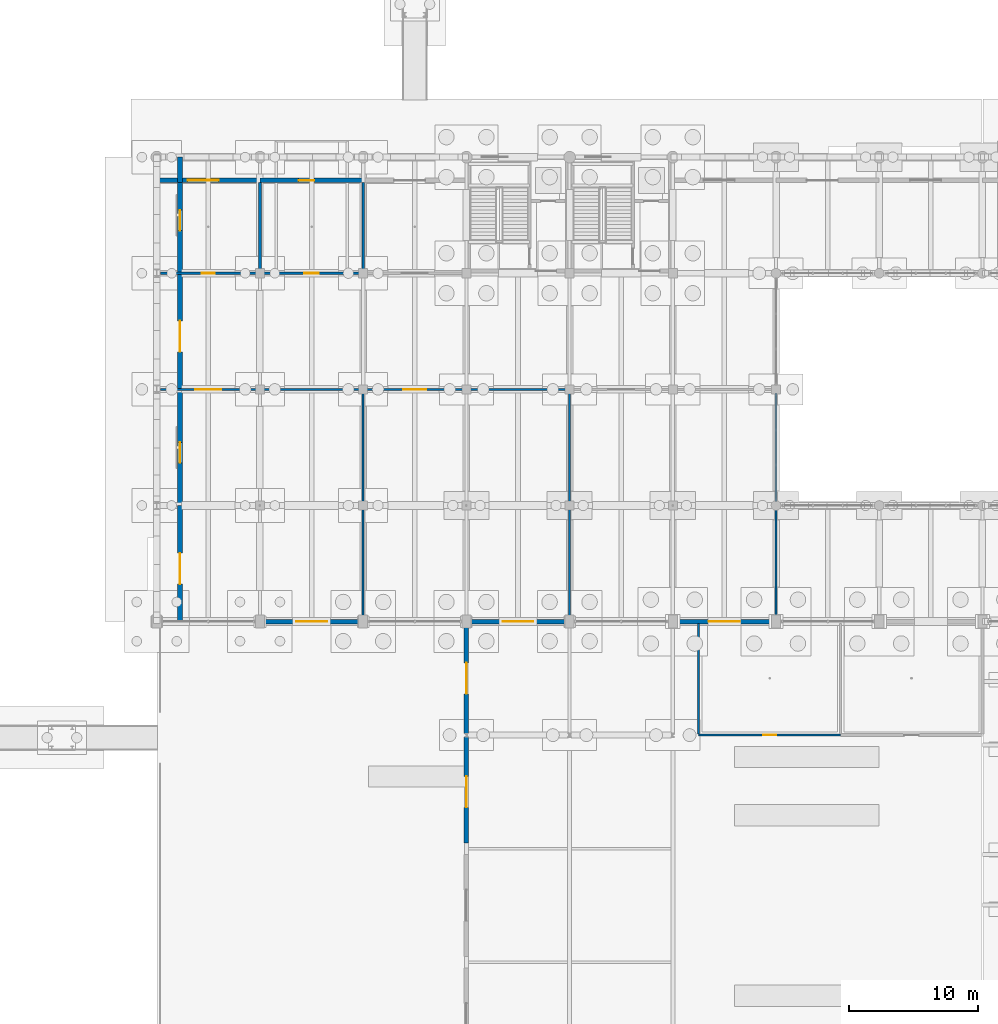
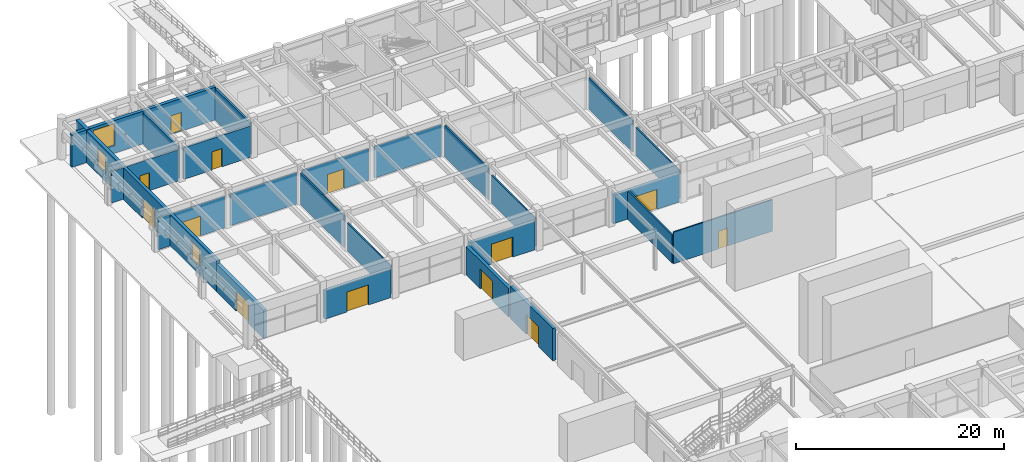
# One storey, part 105 of 147: 28 walls, 13 doors, 3 windows, 16 openings.
"""IFC4 building model written with IfcOpenShell, lengths in metres."""

import ifcopenshell
import ifcopenshell.guid

model = None  # the IFC model being written
_history = None  # IfcOwnerHistory: only IFC2X3 demands one
_inside = {}  # id of a spatial element -> (the spatial element, [elements in it])
_under = {}  # id of a project, library or spatial element -> (it, [spatial elements below it])
_declared = {}  # id of a project -> (the project, [libraries it declares])
_typed = {}  # id of a type object -> (the type object, [elements of that type])
_made_of = {}  # id of a material, layer set ... -> (it, [elements and type objects made of it])


def new_model(schema):
    """Start an empty IFC model of exactly this schema.

    Asked for "IFC4X3", IfcOpenShell would pick the latest addendum, in which some entities
    have other attributes; the version numbers below select the first issue.
    IFC2X3 requires an IfcOwnerHistory on every rooted entity: one is made here for all.
    """
    global model, _history
    if schema == "IFC4X3":
        model = ifcopenshell.file(schema_version=(4, 3, 0, 0))
    else:
        model = ifcopenshell.file(schema=schema)
    _inside.clear()
    _under.clear()
    _declared.clear()
    _typed.clear()
    _made_of.clear()
    _history = None
    if model.schema == "IFC2X3":
        org = make("IfcOrganization", Name="unknown")
        user = make(
            "IfcPersonAndOrganization",
            ThePerson=make("IfcPerson", FamilyName="unknown"),
            TheOrganization=org,
        )
        app = make(
            "IfcApplication",
            ApplicationDeveloper=org,
            Version="unknown",
            ApplicationFullName="unknown",
            ApplicationIdentifier="unknown",
        )
        _history = make(
            "IfcOwnerHistory",
            OwningUser=user,
            OwningApplication=app,
            ChangeAction="ADDED",
            CreationDate=0,
        )
    return model


def make(cls, **values):
    """One entity of the class cls with the attributes given. An attribute that is None is left unset."""
    return model.create_entity(
        cls, **{name: value for name, value in values.items() if value is not None}
    )


def rooted(cls, **values):
    """An entity with a GlobalId (a new one), such as an element, a storey or a relation."""
    return make(cls, GlobalId=ifcopenshell.guid.new(), OwnerHistory=_history, **values)


def si_unit(unit_type, name, prefix=None):
    """IfcSIUnit, for example si_unit("LENGTHUNIT", "METRE", prefix="MILLI")."""
    return make("IfcSIUnit", UnitType=unit_type, Prefix=prefix, Name=name)


def assignment(units):
    """IfcUnitAssignment: the units of a project."""
    return None if units is None else make("IfcUnitAssignment", Units=units)


def point(xyz):
    """IfcCartesianPoint."""
    return None if xyz is None else make("IfcCartesianPoint", Coordinates=xyz)


def direction(xyz):
    """IfcDirection."""
    return None if xyz is None else make("IfcDirection", DirectionRatios=xyz)


def frame(location, z_axis=None, x_axis=None):
    """IfcAxis2Placement3D, a coordinate frame: its origin and axes. An axis left out is left unset."""
    return make(
        "IfcAxis2Placement3D",
        Location=point(location),
        Axis=direction(z_axis),
        RefDirection=direction(x_axis),
    )


def frame_2d(location, x_axis=None):
    """IfcAxis2Placement2D, a coordinate frame in the plane: its origin and x axis."""
    return make(
        "IfcAxis2Placement2D", Location=point(location), RefDirection=direction(x_axis)
    )


def origin():
    """The frame at (0, 0, 0) with its axes left unset."""
    return frame((0.0, 0.0, 0.0))


def place(relative_to, where):
    """IfcLocalPlacement: puts the frame where relative to a parent placement (None: the world)."""
    return make(
        "IfcLocalPlacement", PlacementRelTo=relative_to, RelativePlacement=where
    )


def context(
    kind, dimensions, precision=None, world=None, true_north=None, identifier=None
):
    """IfcGeometricRepresentationContext, for example the 3D "Model" context."""
    return make(
        "IfcGeometricRepresentationContext",
        ContextIdentifier=identifier,
        ContextType=kind,
        CoordinateSpaceDimension=dimensions,
        Precision=precision,
        WorldCoordinateSystem=world,
        TrueNorth=true_north,
    )


def subcontext(parent, identifier, kind, view, scale=None):
    """IfcGeometricRepresentationSubContext, for example "Body" below "Model"."""
    return make(
        "IfcGeometricRepresentationSubContext",
        ContextIdentifier=identifier,
        ContextType=kind,
        ParentContext=parent,
        TargetScale=scale,
        TargetView=view,
    )


def project(units=None, contexts=None):
    """IfcProject with its units and contexts."""
    return rooted(
        "IfcProject",
        Name="project",
        RepresentationContexts=contexts,
        UnitsInContext=assignment(units),
    )


def spatial(cls, under=None, at=None, **own):
    """A site, building, storey or space (cls), placed at a placement, below another one or the project."""
    s = rooted(cls, ObjectPlacement=at, **own)
    if under is not None:
        _under.setdefault(under.id(), (under, []))[1].append(s)
    return s


def profile(cls, at=None, kind="AREA", **sizes):
    """A parametric profile (cls). Its sizes go by their IFC names, for example OverallWidth=200.0."""
    return make(cls, ProfileType=kind, Position=at, **sizes)


def rectangle(**sizes):
    """IfcRectangleProfileDef."""
    return profile("IfcRectangleProfileDef", **sizes)


def extrude(swept, where, along, depth):
    """IfcExtrudedAreaSolid: the profile swept, set in the frame where, extruded along a direction by depth."""
    return make(
        "IfcExtrudedAreaSolid",
        SweptArea=swept,
        Position=where,
        ExtrudedDirection=direction(along),
        Depth=depth,
    )


def shape(context_of_items, identifier, shape_type, items):
    """IfcShapeRepresentation: the items that make up one representation, for example the "Body"."""
    return make(
        "IfcShapeRepresentation",
        ContextOfItems=context_of_items,
        RepresentationIdentifier=identifier,
        RepresentationType=shape_type,
        Items=items,
    )


def material(Name=None, Category=None):
    """IfcMaterial."""
    return make("IfcMaterial", Name=Name, Category=Category)


def layer(
    of_material, thickness, ventilated=None, Name=None, Category=None, Priority=None
):
    """IfcMaterialLayer: one layer of a wall or slab, of a material (None: an air gap)."""
    return make(
        "IfcMaterialLayer",
        Material=of_material,
        LayerThickness=thickness,
        IsVentilated=ventilated,
        Name=Name,
        Category=Category,
        Priority=Priority,
    )


def layer_set(layers, Name=None):
    """IfcMaterialLayerSet."""
    return make("IfcMaterialLayerSet", MaterialLayers=layers, LayerSetName=Name)


def made_of(thing, what):
    """Note that an element or type object is made of a material, layer set ...; save() writes the relation."""
    if what is not None:
        _made_of.setdefault(what.id(), (what, []))[1].append(thing)
    return thing


def type_object(cls, material=None, **own):
    """A type object (cls), such as IfcWallType, which elements share."""
    return made_of(rooted(cls, **own), material)


def element(
    cls,
    number,
    at=None,
    inside=None,
    cuts=None,
    type_object=None,
    material=None,
    context=None,
    identifier="Body",
    shape_type=None,
    held_by="IfcProductDefinitionShape",
    body=None,
    shapes=None,
    **own,
):
    """One element of the class cls, such as IfcWall. Its Tag is "e" and its number.

    at: its placement. inside: the storey or other place that contains it. cuts: it is an
    opening in that element (IfcRelVoidsElement). A single representation is given by context,
    identifier, shape_type and body (its items); several are given by shapes. held_by: the class
    of the entity that holds the representations. save() writes the other relations.
    """
    e = rooted(cls, Tag="e%d" % number, ObjectPlacement=at, **own)
    if body is not None:
        shapes = [shape(context, identifier, shape_type, body)]
    if shapes is not None:
        e.Representation = make(held_by, Representations=shapes)
    if inside is not None:
        _inside.setdefault(inside.id(), (inside, []))[1].append(e)
    if cuts is not None:
        rooted(
            "IfcRelVoidsElement", RelatingBuildingElement=cuts, RelatedOpeningElement=e
        )
    if type_object is not None:
        _typed.setdefault(type_object.id(), (type_object, []))[1].append(e)
    return made_of(e, material)


def fill(opening, filler):
    """IfcRelFillsElement: the door or window that sits in an opening."""
    return rooted(
        "IfcRelFillsElement",
        RelatingOpeningElement=opening,
        RelatedBuildingElement=filler,
    )


def aggregate(whole, parts):
    """IfcRelAggregates: a whole, such as a stair, and the parts it consists of."""
    return rooted("IfcRelAggregates", RelatingObject=whole, RelatedObjects=parts)


def save(model, path):
    """Write the relations noted so far, then the file.

    IfcRelAggregates (storeys below a building ...), IfcRelContainedInSpatialStructure (elements
    in a storey), IfcRelDefinesByType, IfcRelAssociatesMaterial and IfcRelDeclares: one each for
    every whole, place, type object, material and project.
    """
    for whole, parts in _under.values():
        aggregate(whole, parts)
    for where, things in _inside.values():
        rooted(
            "IfcRelContainedInSpatialStructure",
            RelatedElements=things,
            RelatingStructure=where,
        )
    for kind, things in _typed.values():
        rooted("IfcRelDefinesByType", RelatedObjects=things, RelatingType=kind)
    for what, things in _made_of.values():
        rooted("IfcRelAssociatesMaterial", RelatedObjects=things, RelatingMaterial=what)
    for by, libraries in _declared.values():
        rooted("IfcRelDeclares", RelatingContext=by, RelatedDefinitions=libraries)
    model.write(path)


model = new_model("IFC4")

# Units and contexts
model_context = context("Model", 3, precision=1e-05, world=origin(), true_north=direction((0.0, 1.0)))
body_context = subcontext(model_context, "Body", "Model", "MODEL_VIEW")
ifc_project = project(units=[si_unit("LENGTHUNIT", "METRE"), si_unit("AREAUNIT", "SQUARE_METRE"), si_unit("VOLUMEUNIT", "CUBIC_METRE"), si_unit("PLANEANGLEUNIT", "RADIAN"), si_unit("MASSUNIT", "GRAM", prefix="KILO")], contexts=[model_context])

# Site, building, storey
site_placement = place(None, origin())
site = spatial("IfcSite", under=ifc_project, at=site_placement, CompositionType="ELEMENT")
building_placement = place(site_placement, origin())
building = spatial("IfcBuilding", under=site, at=building_placement, Name="Varnabhumi Central Station", CompositionType="ELEMENT")
storey_placement = place(building_placement, origin())
storey = spatial("IfcBuildingStorey", under=building, at=storey_placement, Name="L00", CompositionType="ELEMENT", Elevation=0.0)

# Wall, opening, door
ifc_material_1 = material(Name="Autoclaved aerated blockwork masonry", Category="masonry")
ifc_layer_1 = layer(ifc_material_1, 0.219970703125, Name="Autoclaved aerated blockwork masonry", Category="masonry")
ifc_layer_set_1 = layer_set([ifc_layer_1], Name="Autoclaved aerated blockwork masonry")
wall_type_1 = type_object("IfcWallType", Name="WAL-COMP-AAC-220", PredefinedType="SOLIDWALL", material=ifc_layer_set_1)
wall_1_placement = place(storey_placement, frame((8.300048828125, 107.0, 0.0), z_axis=(0.0, 0.0, 1.0), x_axis=(1.0, 0.0, 0.0)))
wall_1 = element("IfcWall", 1, at=wall_1_placement, inside=storey, type_object=wall_type_1, Name="Fire Command Centre Corridor Partition 1", PredefinedType="SOLIDWALL", context=body_context, shape_type="SweptSolid", body=[
    extrude(rectangle(XDim=7.39990234375, YDim=0.219970703125, at=frame_2d((3.699951171875, 0.0))), origin(), (0.0, 0.0, 1.0), 3.699951171875),
])
opening_1_placement = place(wall_1_placement, frame((3.14990234375, 0.0, 0.0)))
opening_1 = element("IfcOpeningElement", 2, at=opening_1_placement, cuts=wall_1, Name="Opening FD-60", PredefinedType="OPENING", context=body_context, shape_type="SweptSolid", body=[
    extrude(rectangle(XDim=1.10009765625, YDim=2.14990234375, at=frame_2d((0.550048828125, 1.074951171875))), frame((0.0, 0.119873046875, 0.0), z_axis=(0.0, -1.0, 0.0), x_axis=(1.0, 0.0, 0.0)), (0.0, 0.0, 1.0), 0.239990234375),
])
ifc_material_2 = material(Name="Intumescent-treated hardwood timber", Category="wood")
door_type_1 = type_object("IfcDoorType", Name="DR-FIRE-60-1100", OperationType="NOTDEFINED", PredefinedType="DOOR", material=ifc_material_2)
door_1_placement = place(opening_1_placement, frame((1.10009765625, 0.0, 0.0), z_axis=(0.0, 0.0, 1.0), x_axis=(-1.0, 0.0, 0.0)))
door_1 = element("IfcDoor", 3, at=door_1_placement, inside=storey, type_object=door_type_1, Name="Fire Command Centre Door 1", OperationType="SINGLE_SWING_LEFT", OverallHeight=2.14990234375, OverallWidth=1.10009765625, PredefinedType="DOOR", context=body_context, shape_type="SweptSolid", body=[
    extrude(rectangle(XDim=1.10009765625, YDim=2.14990234375, at=frame_2d((0.550048828125, 1.074951171875))), frame((0.0, 0.02490234375, 0.0), z_axis=(0.0, -1.0, 0.0), x_axis=(1.0, 0.0, 0.0)), (0.0, 0.0, 1.0), 0.050048828125),
])
fill(opening_1, door_1)

# Walls
for number, where, z_axis, x_axis, name in (
    (4, (8.0, 107.300048828125, 0.0), (0.0, 0.0, 1.0), (0.0, 1.0, 0.0), "Fire Command Centre E Partition 1"),
    (5, (16.0, 107.300048828125, 0.0), (0.0, 0.0, 1.0), (0.0, 1.0, 0.0), "Fire Command Centre W Partition 1"),
):
    element("IfcWall", number, at=place(storey_placement, frame(where, z_axis=z_axis, x_axis=x_axis)), inside=storey, type_object=wall_type_1, Name=name, PredefinedType="SOLIDWALL", context=body_context, shape_type="SweptSolid", body=[
        extrude(rectangle(XDim=6.739990234375, YDim=0.219970703125, at=frame_2d((3.3701171875, 0.0))), origin(), (0.0, 0.0, 1.0), 3.699951171875),
    ])
ifc_material_3 = material(Name="Chunar sandstone masonry", Category="masonry")
ifc_layer_2 = layer(ifc_material_3, 0.360107421875, Name="Chunar sandstone masonry", Category="masonry")
ifc_layer_set_2 = layer_set([ifc_layer_2], Name="Chunar sandstone masonry")
wall_type_2 = type_object("IfcWallType", Name="WAL-EXT-SANDSTONE-360", PredefinedType="SOLIDWALL", material=ifc_layer_set_2)
wall_2_placement = place(storey_placement, frame((1.800048828125, 114.02001953125, 0.0), z_axis=(0.0, 0.0, 1.0), x_axis=(0.0, 1.0, 0.0)))
element("IfcWall", 6, at=wall_2_placement, inside=storey, type_object=wall_type_2, Name="Portales Return Wall E-1", PredefinedType="SOLIDWALL", context=body_context, shape_type="SweptSolid", body=[
    extrude(rectangle(XDim=1.97998046875, YDim=0.360107421875, at=frame_2d((0.989990234375, 0.0))), origin(), (0.0, 0.0, 1.0), 3.840087890625),
])

# Wall, opening, window
wall_3_placement = place(storey_placement, frame((0.0, 114.199951171875, 0.0), z_axis=(0.0, 0.0, 1.0), x_axis=(1.0, 0.0, 0.0)))
wall_3 = element("IfcWall", 7, at=wall_3_placement, inside=storey, type_object=wall_type_2, Name="North Boulevard Wall L00-1", PredefinedType="SOLIDWALL", context=body_context, shape_type="SweptSolid", body=[
    extrude(rectangle(XDim=8.0, YDim=0.360107421875, at=frame_2d((4.0, 0.0))), origin(), (0.0, 0.0, 1.0), 3.840087890625),
])
opening_2_placement = place(wall_3_placement, frame((2.39990234375, 0.0, 0.89990234375)))
opening_2 = element("IfcOpeningElement", 8, at=opening_2_placement, cuts=wall_3, Name="Opening W-01", PredefinedType="OPENING", context=body_context, shape_type="SweptSolid", body=[
    extrude(rectangle(XDim=2.39990234375, YDim=2.60009765625, at=frame_2d((1.199951171875, 1.300048828125))), frame((0.0, 0.18994140625, 0.0), z_axis=(0.0, -1.0, 0.0), x_axis=(1.0, 0.0, 0.0)), (0.0, 0.0, 1.0), 0.380126953125),
])
ifc_material_4 = material(Name="Laminated low-E double glazing", Category="glass")
window_type_1 = type_object("IfcWindowType", Name="WIN-ARCADE-2400x2600", PartitioningType="DOUBLE_PANEL_VERTICAL", PredefinedType="WINDOW", material=ifc_material_4)
window_1_placement = place(opening_2_placement, origin())
window_1 = element("IfcWindow", 9, at=window_1_placement, inside=storey, type_object=window_type_1, Name="North Arcade Window L00-1", OverallHeight=2.60009765625, OverallWidth=2.39990234375, PartitioningType="SINGLE_PANEL", PredefinedType="WINDOW", context=body_context, shape_type="SweptSolid", body=[
    extrude(rectangle(XDim=2.39990234375, YDim=2.60009765625, at=frame_2d((1.199951171875, 1.300048828125))), frame((0.0, 0.030029296875, 0.0), z_axis=(0.0, -1.0, 0.0), x_axis=(1.0, 0.0, 0.0)), (0.0, 0.0, 1.0), 0.06005859375),
])
fill(opening_2, window_1)

# Wall, opening, door
wall_4_placement = place(storey_placement, frame((8.0, 114.199951171875, 0.0), z_axis=(0.0, 0.0, 1.0), x_axis=(1.0, 0.0, 0.0)))
wall_4 = element("IfcWall", 10, at=wall_4_placement, inside=storey, type_object=wall_type_2, Name="North Boulevard Wall L00-2", PredefinedType="SOLIDWALL", context=body_context, shape_type="SweptSolid", body=[
    extrude(rectangle(XDim=8.0, YDim=0.360107421875, at=frame_2d((4.0, 0.0))), origin(), (0.0, 0.0, 1.0), 3.840087890625),
])
opening_3_placement = place(wall_4_placement, frame((3.0, 0.0, 0.0)))
opening_3 = element("IfcOpeningElement", 11, at=opening_3_placement, cuts=wall_4, Name="Opening ED-3", PredefinedType="OPENING", context=body_context, shape_type="SweptSolid", body=[
    extrude(rectangle(XDim=1.199951171875, YDim=2.199951171875, at=frame_2d((0.60009765625, 1.10009765625))), frame((0.0, 0.18994140625, 0.0), z_axis=(0.0, -1.0, 0.0), x_axis=(1.0, 0.0, 0.0)), (0.0, 0.0, 1.0), 0.380126953125),
])
ifc_material_5 = material(Name="Stainless steel Grade 316", Category="steel")
door_type_2 = type_object("IfcDoorType", Name="DR-EXT-FCC-1200", OperationType="NOTDEFINED", PredefinedType="DOOR", material=ifc_material_5)
door_2_placement = place(opening_3_placement, origin())
door_2 = element("IfcDoor", 12, at=door_2_placement, inside=storey, type_object=door_type_2, Name="Fire Command Centre Exterior Door", OperationType="SINGLE_SWING_LEFT", OverallHeight=2.199951171875, OverallWidth=1.199951171875, PredefinedType="DOOR", context=body_context, shape_type="SweptSolid", body=[
    extrude(rectangle(XDim=1.199951171875, YDim=2.199951171875, at=frame_2d((0.60009765625, 1.10009765625))), frame((0.0, 0.02490234375, 0.0), z_axis=(0.0, -1.0, 0.0), x_axis=(1.0, 0.0, 0.0)), (0.0, 0.0, 1.0), 0.050048828125),
])
fill(opening_3, door_2)

wall_5_placement = place(storey_placement, frame((8.344970703125, 80.0, 0.0), z_axis=(0.0, 0.0, 1.0), x_axis=(1.0, 0.0, 0.0)))
wall_5 = element("IfcWall", 13, at=wall_5_placement, inside=storey, type_object=wall_type_2, Name="North Spine Wall L00-2", PredefinedType="SOLIDWALL", context=body_context, shape_type="SweptSolid", body=[
    extrude(rectangle(XDim=7.31005859375, YDim=0.360107421875, at=frame_2d((3.655029296875, 0.0))), origin(), (0.0, 0.0, 1.0), 3.31005859375),
])
opening_4_placement = place(wall_5_placement, frame((2.455078125, 0.0, 0.0)))
opening_4 = element("IfcOpeningElement", 14, at=opening_4_placement, cuts=wall_5, Name="Opening ED-1", PredefinedType="OPENING", context=body_context, shape_type="SweptSolid", body=[
    extrude(rectangle(XDim=2.39990234375, YDim=2.35009765625, at=frame_2d((1.199951171875, 1.175048828125))), frame((0.0, 0.18994140625, 0.0), z_axis=(0.0, -1.0, 0.0), x_axis=(1.0, 0.0, 0.0)), (0.0, 0.0, 1.0), 0.380126953125),
])
ifc_material_6 = material(Name="Anodised aluminium 6063-T6", Category="aluminium")
door_type_3 = type_object("IfcDoorType", Name="DR-EXT-PORTAL-2400", OperationType="NOTDEFINED", PredefinedType="DOOR", material=ifc_material_6)
door_3_placement = place(opening_4_placement, frame((2.39990234375, 0.0, 0.0), z_axis=(0.0, 0.0, 1.0), x_axis=(-1.0, 0.0, 0.0)))
door_3 = element("IfcDoor", 15, at=door_3_placement, inside=storey, type_object=door_type_3, Name="North Spine Portal Door L00-2", OperationType="DOUBLE_DOOR_SINGLE_SWING", OverallHeight=2.35009765625, OverallWidth=2.39990234375, PredefinedType="DOOR", context=body_context, shape_type="SweptSolid", body=[
    extrude(rectangle(XDim=2.39990234375, YDim=2.35009765625, at=frame_2d((1.199951171875, 1.175048828125))), frame((0.0, 0.02490234375, 0.0), z_axis=(0.0, -1.0, 0.0), x_axis=(1.0, 0.0, 0.0)), (0.0, 0.0, 1.0), 0.050048828125),
])
fill(opening_4, door_3)

wall_6_placement = place(storey_placement, frame((24.344970703125, 80.0, 0.0), z_axis=(0.0, 0.0, 1.0), x_axis=(1.0, 0.0, 0.0)))
wall_6 = element("IfcWall", 16, at=wall_6_placement, inside=storey, type_object=wall_type_2, Name="North Spine Wall L00-4", PredefinedType="SOLIDWALL", context=body_context, shape_type="SweptSolid", body=[
    extrude(rectangle(XDim=7.31005859375, YDim=0.360107421875, at=frame_2d((3.655029296875, 0.0))), origin(), (0.0, 0.0, 1.0), 3.31005859375),
])
opening_5_placement = place(wall_6_placement, frame((2.455078125, 0.0, 0.0)))
opening_5 = element("IfcOpeningElement", 17, at=opening_5_placement, cuts=wall_6, Name="Opening ED-1", PredefinedType="OPENING", context=body_context, shape_type="SweptSolid", body=[
    extrude(rectangle(XDim=2.39990234375, YDim=2.35009765625, at=frame_2d((1.199951171875, 1.175048828125))), frame((0.0, 0.18994140625, 0.0), z_axis=(0.0, -1.0, 0.0), x_axis=(1.0, 0.0, 0.0)), (0.0, 0.0, 1.0), 0.380126953125),
])
door_4_placement = place(opening_5_placement, frame((2.39990234375, 0.0, 0.0), z_axis=(0.0, 0.0, 1.0), x_axis=(-1.0, 0.0, 0.0)))
door_4 = element("IfcDoor", 18, at=door_4_placement, inside=storey, type_object=door_type_3, Name="North Spine Portal Door L00-4", OperationType="DOUBLE_DOOR_SINGLE_SWING", OverallHeight=2.35009765625, OverallWidth=2.39990234375, PredefinedType="DOOR", context=body_context, shape_type="SweptSolid", body=[
    extrude(rectangle(XDim=2.39990234375, YDim=2.35009765625, at=frame_2d((1.199951171875, 1.175048828125))), frame((0.0, 0.02490234375, 0.0), z_axis=(0.0, -1.0, 0.0), x_axis=(1.0, 0.0, 0.0)), (0.0, 0.0, 1.0), 0.050048828125),
])
fill(opening_5, door_4)

wall_7_placement = place(storey_placement, frame((40.344970703125, 80.0, 0.0), z_axis=(0.0, 0.0, 1.0), x_axis=(1.0, 0.0, 0.0)))
wall_7 = element("IfcWall", 19, at=wall_7_placement, inside=storey, type_object=wall_type_2, Name="North Spine Wall L00-6", PredefinedType="SOLIDWALL", context=body_context, shape_type="SweptSolid", body=[
    extrude(rectangle(XDim=7.31005859375, YDim=0.360107421875, at=frame_2d((3.655029296875, 0.0))), origin(), (0.0, 0.0, 1.0), 3.31005859375),
])
opening_6_placement = place(wall_7_placement, frame((2.455078125, 0.0, 0.0)))
opening_6 = element("IfcOpeningElement", 20, at=opening_6_placement, cuts=wall_7, Name="Opening ED-1", PredefinedType="OPENING", context=body_context, shape_type="SweptSolid", body=[
    extrude(rectangle(XDim=2.39990234375, YDim=2.35009765625, at=frame_2d((1.199951171875, 1.175048828125))), frame((0.0, 0.18994140625, 0.0), z_axis=(0.0, -1.0, 0.0), x_axis=(1.0, 0.0, 0.0)), (0.0, 0.0, 1.0), 0.380126953125),
])
door_5_placement = place(opening_6_placement, frame((2.39990234375, 0.0, 0.0), z_axis=(0.0, 0.0, 1.0), x_axis=(-1.0, 0.0, 0.0)))
door_5 = element("IfcDoor", 21, at=door_5_placement, inside=storey, type_object=door_type_3, Name="North Spine Portal Door L00-6", OperationType="DOUBLE_DOOR_SINGLE_SWING", OverallHeight=2.35009765625, OverallWidth=2.39990234375, PredefinedType="DOOR", context=body_context, shape_type="SweptSolid", body=[
    extrude(rectangle(XDim=2.39990234375, YDim=2.35009765625, at=frame_2d((1.199951171875, 1.175048828125))), frame((0.0, 0.02490234375, 0.0), z_axis=(0.0, -1.0, 0.0), x_axis=(1.0, 0.0, 0.0)), (0.0, 0.0, 1.0), 0.050048828125),
])
fill(opening_6, door_5)

wall_8_placement = place(storey_placement, frame((1.800048828125, 80.0, 0.0), z_axis=(0.0, 0.0, 1.0), x_axis=(0.0, 1.0, 0.0)))
wall_8 = element("IfcWall", 22, at=wall_8_placement, inside=storey, type_object=wall_type_2, Name="North Wing E End Wall L00-1", PredefinedType="SOLIDWALL", context=body_context, shape_type="SweptSolid", body=[
    extrude(rectangle(XDim=9.0, YDim=0.360107421875, at=frame_2d((4.5, 0.0))), origin(), (0.0, 0.0, 1.0), 3.31005859375),
])
opening_7_placement = place(wall_8_placement, frame((2.89990234375, 0.0, 0.0)))
opening_7 = element("IfcOpeningElement", 23, at=opening_7_placement, cuts=wall_8, Name="Opening ED-1", PredefinedType="OPENING", context=body_context, shape_type="SweptSolid", body=[
    extrude(rectangle(XDim=2.39990234375, YDim=2.35009765625, at=frame_2d((1.199951171875, 1.175048828125))), frame((0.0, 0.18994140625, 0.0), z_axis=(0.0, -1.0, 0.0), x_axis=(1.0, 0.0, 0.0)), (0.0, 0.0, 1.0), 0.380126953125),
])
door_6_placement = place(opening_7_placement, frame((2.39990234375, 0.0, 0.0), z_axis=(0.0, 0.0, 1.0), x_axis=(-1.0, 0.0, 0.0)))
door_6 = element("IfcDoor", 24, at=door_6_placement, inside=storey, type_object=door_type_3, Name="North Wing E Street Entrance 1", OperationType="DOUBLE_DOOR_SINGLE_SWING", OverallHeight=2.35009765625, OverallWidth=2.39990234375, PredefinedType="DOOR", context=body_context, shape_type="SweptSolid", body=[
    extrude(rectangle(XDim=2.39990234375, YDim=2.35009765625, at=frame_2d((1.199951171875, 1.175048828125))), frame((0.0, 0.02490234375, 0.0), z_axis=(0.0, -1.0, 0.0), x_axis=(1.0, 0.0, 0.0)), (0.0, 0.0, 1.0), 0.050048828125),
])
fill(opening_7, door_6)

# Wall, opening, window
wall_9_placement = place(storey_placement, frame((1.800048828125, 89.0, 0.0), z_axis=(0.0, 0.0, 1.0), x_axis=(0.0, 1.0, 0.0)))
wall_9 = element("IfcWall", 25, at=wall_9_placement, inside=storey, type_object=wall_type_2, Name="North Wing E End Wall L00-2", PredefinedType="SOLIDWALL", context=body_context, shape_type="SweptSolid", body=[
    extrude(rectangle(XDim=9.0, YDim=0.360107421875, at=frame_2d((4.5, 0.0))), origin(), (0.0, 0.0, 1.0), 3.7099609375),
])
opening_8_placement = place(wall_9_placement, frame((3.300048828125, 0.0, 0.949951171875)))
opening_8 = element("IfcOpeningElement", 26, at=opening_8_placement, cuts=wall_9, Name="Opening W-04", PredefinedType="OPENING", context=body_context, shape_type="SweptSolid", body=[
    extrude(rectangle(XDim=1.60009765625, YDim=2.10009765625, at=frame_2d((0.800048828125, 1.050048828125))), frame((0.0, 0.18994140625, 0.0), z_axis=(0.0, -1.0, 0.0), x_axis=(1.0, 0.0, 0.0)), (0.0, 0.0, 1.0), 0.380126953125),
])
window_type_2 = type_object("IfcWindowType", Name="WIN-PIER-1600x2200", PartitioningType="SINGLE_PANEL", PredefinedType="WINDOW", material=ifc_material_4)
window_2_placement = place(opening_8_placement, origin())
window_2 = element("IfcWindow", 27, at=window_2_placement, inside=storey, type_object=window_type_2, Name="North E Window L00-2", OverallHeight=2.10009765625, OverallWidth=1.60009765625, PartitioningType="SINGLE_PANEL", PredefinedType="WINDOW", context=body_context, shape_type="SweptSolid", body=[
    extrude(rectangle(XDim=1.60009765625, YDim=2.10009765625, at=frame_2d((0.800048828125, 1.050048828125))), frame((0.0, 0.030029296875, 0.0), z_axis=(0.0, -1.0, 0.0), x_axis=(1.0, 0.0, 0.0)), (0.0, 0.0, 1.0), 0.06005859375),
])
fill(opening_8, window_2)

# Wall, opening, door
wall_10_placement = place(storey_placement, frame((1.800048828125, 98.0, 0.0), z_axis=(0.0, 0.0, 1.0), x_axis=(0.0, 1.0, 0.0)))
wall_10 = element("IfcWall", 28, at=wall_10_placement, inside=storey, type_object=wall_type_2, Name="North Wing E End Wall L00-3", PredefinedType="SOLIDWALL", context=body_context, shape_type="SweptSolid", body=[
    extrude(rectangle(XDim=9.0, YDim=0.360107421875, at=frame_2d((4.5, 0.0))), origin(), (0.0, 0.0, 1.0), 3.7099609375),
])
opening_9_placement = place(wall_10_placement, frame((2.89990234375, 0.0, 0.0)))
opening_9 = element("IfcOpeningElement", 29, at=opening_9_placement, cuts=wall_10, Name="Opening ED-1", PredefinedType="OPENING", context=body_context, shape_type="SweptSolid", body=[
    extrude(rectangle(XDim=2.39990234375, YDim=2.35009765625, at=frame_2d((1.199951171875, 1.175048828125))), frame((0.0, 0.18994140625, 0.0), z_axis=(0.0, -1.0, 0.0), x_axis=(1.0, 0.0, 0.0)), (0.0, 0.0, 1.0), 0.380126953125),
])
door_7_placement = place(opening_9_placement, frame((2.39990234375, 0.0, 0.0), z_axis=(0.0, 0.0, 1.0), x_axis=(-1.0, 0.0, 0.0)))
door_7 = element("IfcDoor", 30, at=door_7_placement, inside=storey, type_object=door_type_3, Name="North Wing E Street Entrance 3", OperationType="DOUBLE_DOOR_SINGLE_SWING", OverallHeight=2.35009765625, OverallWidth=2.39990234375, PredefinedType="DOOR", context=body_context, shape_type="SweptSolid", body=[
    extrude(rectangle(XDim=2.39990234375, YDim=2.35009765625, at=frame_2d((1.199951171875, 1.175048828125))), frame((0.0, 0.02490234375, 0.0), z_axis=(0.0, -1.0, 0.0), x_axis=(1.0, 0.0, 0.0)), (0.0, 0.0, 1.0), 0.050048828125),
])
fill(opening_9, door_7)

# Wall, opening, window
wall_11_placement = place(storey_placement, frame((1.800048828125, 107.0, 0.0), z_axis=(0.0, 0.0, 1.0), x_axis=(0.0, 1.0, 0.0)))
wall_11 = element("IfcWall", 31, at=wall_11_placement, inside=storey, type_object=wall_type_2, Name="North Wing E End Wall L00-4", PredefinedType="SOLIDWALL", context=body_context, shape_type="SweptSolid", body=[
    extrude(rectangle(XDim=7.199951171875, YDim=0.360107421875, at=frame_2d((3.60009765625, 0.0))), origin(), (0.0, 0.0, 1.0), 3.760009765625),
])
opening_10_placement = place(wall_11_placement, frame((3.300048828125, 0.0, 0.949951171875)))
opening_10 = element("IfcOpeningElement", 32, at=opening_10_placement, cuts=wall_11, Name="Opening W-04", PredefinedType="OPENING", context=body_context, shape_type="SweptSolid", body=[
    extrude(rectangle(XDim=1.60009765625, YDim=2.10009765625, at=frame_2d((0.800048828125, 1.050048828125))), frame((0.0, 0.18994140625, 0.0), z_axis=(0.0, -1.0, 0.0), x_axis=(1.0, 0.0, 0.0)), (0.0, 0.0, 1.0), 0.380126953125),
])
window_3_placement = place(opening_10_placement, origin())
window_3 = element("IfcWindow", 33, at=window_3_placement, inside=storey, type_object=window_type_2, Name="North E Window L00-4", OverallHeight=2.10009765625, OverallWidth=1.60009765625, PartitioningType="SINGLE_PANEL", PredefinedType="WINDOW", context=body_context, shape_type="SweptSolid", body=[
    extrude(rectangle(XDim=1.60009765625, YDim=2.10009765625, at=frame_2d((0.800048828125, 1.050048828125))), frame((0.0, 0.030029296875, 0.0), z_axis=(0.0, -1.0, 0.0), x_axis=(1.0, 0.0, 0.0)), (0.0, 0.0, 1.0), 0.06005859375),
])
fill(opening_10, window_3)

# Wall, opening, door
wall_12_placement = place(storey_placement, frame((24.0, 62.85009765625, 0.0), z_axis=(0.0, 0.0, 1.0), x_axis=(0.0, 1.0, 0.0)))
wall_12 = element("IfcWall", 34, at=wall_12_placement, inside=storey, type_object=wall_type_2, Name="Ticket Hall Grand Portal Wall 4", PredefinedType="SOLIDWALL", context=body_context, shape_type="SweptSolid", body=[
    extrude(rectangle(XDim=8.204833984375, YDim=0.360107421875, at=frame_2d((4.1025390625, 0.0))), origin(), (0.0, 0.0, 1.0), 3.7900390625),
])
opening_11_placement = place(wall_12_placement, frame((2.75, 0.0, 0.0)))
opening_11 = element("IfcOpeningElement", 35, at=opening_11_placement, cuts=wall_12, Name="Opening ED-1", PredefinedType="OPENING", context=body_context, shape_type="SweptSolid", body=[
    extrude(rectangle(XDim=2.39990234375, YDim=2.35009765625, at=frame_2d((1.199951171875, 1.175048828125))), frame((0.0, 0.18994140625, 0.0), z_axis=(0.0, -1.0, 0.0), x_axis=(1.0, 0.0, 0.0)), (0.0, 0.0, 1.0), 0.380126953125),
])
door_8_placement = place(opening_11_placement, origin())
door_8 = element("IfcDoor", 36, at=door_8_placement, inside=storey, type_object=door_type_3, Name="Ticket Hall Main Portal Entrance 4", OperationType="DOUBLE_DOOR_SINGLE_SWING", OverallHeight=2.35009765625, OverallWidth=2.39990234375, PredefinedType="DOOR", context=body_context, shape_type="SweptSolid", body=[
    extrude(rectangle(XDim=2.39990234375, YDim=2.35009765625, at=frame_2d((1.199951171875, 1.175048828125))), frame((0.0, 0.02490234375, 0.0), z_axis=(0.0, -1.0, 0.0), x_axis=(1.0, 0.0, 0.0)), (0.0, 0.0, 1.0), 0.050048828125),
])
fill(opening_11, door_8)

wall_13_placement = place(storey_placement, frame((24.0, 71.344970703125, 0.0), z_axis=(0.0, 0.0, 1.0), x_axis=(0.0, 1.0, 0.0)))
wall_13 = element("IfcWall", 37, at=wall_13_placement, inside=storey, type_object=wall_type_2, Name="Ticket Hall Grand Portal Wall 5", PredefinedType="SOLIDWALL", context=body_context, shape_type="SweptSolid", body=[
    extrude(rectangle(XDim=8.205078125, YDim=0.360107421875, at=frame_2d((4.1025390625, 0.0))), origin(), (0.0, 0.0, 1.0), 3.31005859375),
])
opening_12_placement = place(wall_13_placement, frame((3.054931640625, 0.0, 0.0)))
opening_12 = element("IfcOpeningElement", 38, at=opening_12_placement, cuts=wall_13, Name="Opening ED-1", PredefinedType="OPENING", context=body_context, shape_type="SweptSolid", body=[
    extrude(rectangle(XDim=2.39990234375, YDim=2.35009765625, at=frame_2d((1.199951171875, 1.175048828125))), frame((0.0, 0.18994140625, 0.0), z_axis=(0.0, -1.0, 0.0), x_axis=(1.0, 0.0, 0.0)), (0.0, 0.0, 1.0), 0.380126953125),
])
door_9_placement = place(opening_12_placement, origin())
door_9 = element("IfcDoor", 39, at=door_9_placement, inside=storey, type_object=door_type_3, Name="Ticket Hall Main Portal Entrance 5", OperationType="DOUBLE_DOOR_SINGLE_SWING", OverallHeight=2.35009765625, OverallWidth=2.39990234375, PredefinedType="DOOR", context=body_context, shape_type="SweptSolid", body=[
    extrude(rectangle(XDim=2.39990234375, YDim=2.35009765625, at=frame_2d((1.199951171875, 1.175048828125))), frame((0.0, 0.02490234375, 0.0), z_axis=(0.0, -1.0, 0.0), x_axis=(1.0, 0.0, 0.0)), (0.0, 0.0, 1.0), 0.050048828125),
])
fill(opening_12, door_9)

ifc_layer_3 = layer(ifc_material_1, 0.159912109375, Name="Autoclaved aerated blockwork masonry", Category="masonry")
ifc_layer_set_3 = layer_set([ifc_layer_3], Name="Autoclaved aerated blockwork masonry")
wall_type_3 = type_object("IfcWallType", Name="WAL-PART-AAC-160", PredefinedType="PARTITIONING", material=ifc_layer_set_3)
wall_14_placement = place(storey_placement, frame((42.0, 71.199951171875, 0.0), z_axis=(0.0, 0.0, 1.0), x_axis=(1.0, 0.0, 0.0)))
wall_14 = element("IfcWall", 40, at=wall_14_placement, inside=storey, type_object=wall_type_3, Name="Divyangjan Help Booth and Enquiry Corridor Partition 1", PredefinedType="PARTITIONING", context=body_context, shape_type="SweptSolid", body=[
    extrude(rectangle(XDim=11.0, YDim=0.159912109375, at=frame_2d((5.5, 0.0))), origin(), (0.0, 0.0, 1.0), 3.699951171875),
])
opening_13_placement = place(wall_14_placement, frame((5.0, 0.0, 0.0)))
opening_13 = element("IfcOpeningElement", 41, at=opening_13_placement, cuts=wall_14, Name="Opening D-01", PredefinedType="OPENING", context=body_context, shape_type="SweptSolid", body=[
    extrude(rectangle(XDim=1.0, YDim=2.10009765625, at=frame_2d((0.5, 1.050048828125))), frame((0.0, 0.08984375, 0.0), z_axis=(0.0, -1.0, 0.0), x_axis=(1.0, 0.0, 0.0)), (0.0, 0.0, 1.0), 0.179931640625),
])
door_type_4 = type_object("IfcDoorType", Name="DR-ROOM-1000", OperationType="NOTDEFINED", PredefinedType="DOOR", material=ifc_material_2)
door_10_placement = place(opening_13_placement, frame((1.0, 0.0, 0.0), z_axis=(0.0, 0.0, 1.0), x_axis=(-1.0, 0.0, 0.0)))
door_10 = element("IfcDoor", 42, at=door_10_placement, inside=storey, type_object=door_type_4, Name="Divyangjan Help Booth and Enquiry Door 1", OperationType="SINGLE_SWING_RIGHT", OverallHeight=2.10009765625, OverallWidth=1.0, PredefinedType="DOOR", context=body_context, shape_type="SweptSolid", body=[
    extrude(rectangle(XDim=1.0, YDim=2.10009765625, at=frame_2d((0.5, 1.050048828125))), frame((0.0, 0.02490234375, 0.0), z_axis=(0.0, -1.0, 0.0), x_axis=(1.0, 0.0, 0.0)), (0.0, 0.0, 1.0), 0.050048828125),
])
fill(opening_13, door_10)

# Wall
wall_15_placement = place(storey_placement, frame((42.0, 71.280029296875, 0.0), z_axis=(0.0, 0.0, 1.0), x_axis=(0.0, 1.0, 0.0)))
element("IfcWall", 43, at=wall_15_placement, inside=storey, type_object=wall_type_3, Name="Divyangjan Help Booth and Enquiry E Partition 1", PredefinedType="PARTITIONING", context=body_context, shape_type="SweptSolid", body=[
    extrude(rectangle(XDim=8.56005859375, YDim=0.159912109375, at=frame_2d((4.280029296875, 0.0))), origin(), (0.0, 0.0, 1.0), 3.31005859375),
])

# Wall, opening, door
wall_16_placement = place(storey_placement, frame((0.300048828125, 107.0, 0.0), z_axis=(0.0, 0.0, 1.0), x_axis=(1.0, 0.0, 0.0)))
wall_16 = element("IfcWall", 44, at=wall_16_placement, inside=storey, type_object=wall_type_3, Name="Station First Aid and Medical Room Corridor Partition 1", PredefinedType="PARTITIONING", context=body_context, shape_type="SweptSolid", body=[
    extrude(rectangle(XDim=7.39990234375, YDim=0.159912109375, at=frame_2d((3.699951171875, 0.0))), origin(), (0.0, 0.0, 1.0), 3.699951171875),
])
opening_14_placement = place(wall_16_placement, frame((3.199951171875, 0.0, 0.0)))
opening_14 = element("IfcOpeningElement", 45, at=opening_14_placement, cuts=wall_16, Name="Opening D-01", PredefinedType="OPENING", context=body_context, shape_type="SweptSolid", body=[
    extrude(rectangle(XDim=1.0, YDim=2.10009765625, at=frame_2d((0.5, 1.050048828125))), frame((0.0, 0.08984375, 0.0), z_axis=(0.0, -1.0, 0.0), x_axis=(1.0, 0.0, 0.0)), (0.0, 0.0, 1.0), 0.179931640625),
])
door_11_placement = place(opening_14_placement, frame((1.0, 0.0, 0.0), z_axis=(0.0, 0.0, 1.0), x_axis=(-1.0, 0.0, 0.0)))
door_11 = element("IfcDoor", 46, at=door_11_placement, inside=storey, type_object=door_type_4, Name="Station First Aid and Medical Room Door 1", OperationType="SINGLE_SWING_RIGHT", OverallHeight=2.10009765625, OverallWidth=1.0, PredefinedType="DOOR", context=body_context, shape_type="SweptSolid", body=[
    extrude(rectangle(XDim=1.0, YDim=2.10009765625, at=frame_2d((0.5, 1.050048828125))), frame((0.0, 0.02490234375, 0.0), z_axis=(0.0, -1.0, 0.0), x_axis=(1.0, 0.0, 0.0)), (0.0, 0.0, 1.0), 0.050048828125),
])
fill(opening_14, door_11)

wall_17_placement = place(storey_placement, frame((0.300048828125, 98.0, 0.0), z_axis=(0.0, 0.0, 1.0), x_axis=(1.0, 0.0, 0.0)))
wall_17 = element("IfcWall", 47, at=wall_17_placement, inside=storey, type_object=wall_type_3, Name="Travel Convenience Shop 04 Corridor Partition 1", PredefinedType="PARTITIONING", context=body_context, shape_type="SweptSolid", body=[
    extrude(rectangle(XDim=7.39990234375, YDim=0.159912109375, at=frame_2d((3.699951171875, 0.0))), origin(), (0.0, 0.0, 1.0), 3.699951171875),
])
opening_15_placement = place(wall_17_placement, frame((2.699951171875, 0.0, 0.0)))
opening_15 = element("IfcOpeningElement", 48, at=opening_15_placement, cuts=wall_17, Name="Opening D-03", PredefinedType="OPENING", context=body_context, shape_type="SweptSolid", body=[
    extrude(rectangle(XDim=2.0, YDim=2.300048828125, at=frame_2d((1.0, 1.14990234375))), frame((0.0, 0.08984375, 0.0), z_axis=(0.0, -1.0, 0.0), x_axis=(1.0, 0.0, 0.0)), (0.0, 0.0, 1.0), 0.179931640625),
])
door_type_5 = type_object("IfcDoorType", Name="DR-SHOP-2000", OperationType="NOTDEFINED", PredefinedType="DOOR", material=ifc_material_6)
door_12_placement = place(opening_15_placement, origin())
door_12 = element("IfcDoor", 49, at=door_12_placement, inside=storey, type_object=door_type_5, Name="Travel Convenience Shop 04 Door 1", OperationType="DOUBLE_DOOR_SINGLE_SWING", OverallHeight=2.300048828125, OverallWidth=2.0, PredefinedType="DOOR", context=body_context, shape_type="SweptSolid", body=[
    extrude(rectangle(XDim=2.0, YDim=2.300048828125, at=frame_2d((1.0, 1.14990234375))), frame((0.0, 0.02490234375, 0.0), z_axis=(0.0, -1.0, 0.0), x_axis=(1.0, 0.0, 0.0)), (0.0, 0.0, 1.0), 0.050048828125),
])
fill(opening_15, door_12)

# Walls
wall_18_placement = place(storey_placement, frame((8.300048828125, 98.0, 0.0), z_axis=(0.0, 0.0, 1.0), x_axis=(1.0, 0.0, 0.0)))
element("IfcWall", 50, at=wall_18_placement, inside=storey, type_object=wall_type_3, Name="Travel Convenience Shop 04 Corridor Partition 2", PredefinedType="PARTITIONING", context=body_context, shape_type="SweptSolid", body=[
    extrude(rectangle(XDim=7.39990234375, YDim=0.159912109375, at=frame_2d((3.699951171875, 0.0))), origin(), (0.0, 0.0, 1.0), 3.699951171875),
])
wall_19_placement = place(storey_placement, frame((16.0, 80.300048828125, 0.0), z_axis=(0.0, 0.0, 1.0), x_axis=(0.0, 1.0, 0.0)))
element("IfcWall", 51, at=wall_19_placement, inside=storey, type_object=wall_type_3, Name="Travel Convenience Shop 04 W Partition 1", PredefinedType="PARTITIONING", context=body_context, shape_type="SweptSolid", body=[
    extrude(rectangle(XDim=8.39990234375, YDim=0.159912109375, at=frame_2d((4.199951171875, 0.0))), origin(), (0.0, 0.0, 1.0), 3.31005859375),
])
wall_20_placement = place(storey_placement, frame((16.0, 89.300048828125, 0.0), z_axis=(0.0, 0.0, 1.0), x_axis=(0.0, 1.0, 0.0)))
element("IfcWall", 52, at=wall_20_placement, inside=storey, type_object=wall_type_3, Name="Travel Convenience Shop 04 W Partition 2", PredefinedType="PARTITIONING", context=body_context, shape_type="SweptSolid", body=[
    extrude(rectangle(XDim=8.39990234375, YDim=0.159912109375, at=frame_2d((4.199951171875, 0.0))), origin(), (0.0, 0.0, 1.0), 3.699951171875),
])

# Wall, opening, door
wall_21_placement = place(storey_placement, frame((16.300048828125, 98.0, 0.0), z_axis=(0.0, 0.0, 1.0), x_axis=(1.0, 0.0, 0.0)))
wall_21 = element("IfcWall", 53, at=wall_21_placement, inside=storey, type_object=wall_type_3, Name="Bakery and Tea Kiosk Corridor Partition 1", PredefinedType="PARTITIONING", context=body_context, shape_type="SweptSolid", body=[
    extrude(rectangle(XDim=7.39990234375, YDim=0.159912109375, at=frame_2d((3.699951171875, 0.0))), origin(), (0.0, 0.0, 1.0), 3.699951171875),
])
opening_16_placement = place(wall_21_placement, frame((2.800048828125, 0.0, 0.0)))
opening_16 = element("IfcOpeningElement", 54, at=opening_16_placement, cuts=wall_21, Name="Opening D-02", PredefinedType="OPENING", context=body_context, shape_type="SweptSolid", body=[
    extrude(rectangle(XDim=1.800048828125, YDim=2.25, at=frame_2d((0.89990234375, 1.125))), frame((0.0, 0.08984375, 0.0), z_axis=(0.0, -1.0, 0.0), x_axis=(1.0, 0.0, 0.0)), (0.0, 0.0, 1.0), 0.179931640625),
])
door_type_6 = type_object("IfcDoorType", Name="DR-LOUNGE-1800", OperationType="NOTDEFINED", PredefinedType="DOOR", material=ifc_material_6)
door_13_placement = place(opening_16_placement, origin())
door_13 = element("IfcDoor", 55, at=door_13_placement, inside=storey, type_object=door_type_6, Name="Bakery and Tea Kiosk Door 1", OperationType="DOUBLE_DOOR_SINGLE_SWING", OverallHeight=2.25, OverallWidth=1.800048828125, PredefinedType="DOOR", context=body_context, shape_type="SweptSolid", body=[
    extrude(rectangle(XDim=1.800048828125, YDim=2.25, at=frame_2d((0.89990234375, 1.125))), frame((0.0, 0.02490234375, 0.0), z_axis=(0.0, -1.0, 0.0), x_axis=(1.0, 0.0, 0.0)), (0.0, 0.0, 1.0), 0.050048828125),
])
fill(opening_16, door_13)

# Walls
wall_22_placement = place(storey_placement, frame((24.300048828125, 98.0, 0.0), z_axis=(0.0, 0.0, 1.0), x_axis=(1.0, 0.0, 0.0)))
element("IfcWall", 56, at=wall_22_placement, inside=storey, type_object=wall_type_3, Name="Bakery and Tea Kiosk Corridor Partition 2", PredefinedType="PARTITIONING", context=body_context, shape_type="SweptSolid", body=[
    extrude(rectangle(XDim=7.39990234375, YDim=0.159912109375, at=frame_2d((3.699951171875, 0.0))), origin(), (0.0, 0.0, 1.0), 3.699951171875),
])
wall_23_placement = place(storey_placement, frame((32.0, 80.300048828125, 0.0), z_axis=(0.0, 0.0, 1.0), x_axis=(0.0, 1.0, 0.0)))
element("IfcWall", 57, at=wall_23_placement, inside=storey, type_object=wall_type_3, Name="Bakery and Tea Kiosk W Partition 1", PredefinedType="PARTITIONING", context=body_context, shape_type="SweptSolid", body=[
    extrude(rectangle(XDim=8.39990234375, YDim=0.159912109375, at=frame_2d((4.199951171875, 0.0))), origin(), (0.0, 0.0, 1.0), 3.31005859375),
])
wall_24_placement = place(storey_placement, frame((32.0, 89.300048828125, 0.0), z_axis=(0.0, 0.0, 1.0), x_axis=(0.0, 1.0, 0.0)))
element("IfcWall", 58, at=wall_24_placement, inside=storey, type_object=wall_type_3, Name="Bakery and Tea Kiosk W Partition 2", PredefinedType="PARTITIONING", context=body_context, shape_type="SweptSolid", body=[
    extrude(rectangle(XDim=8.39990234375, YDim=0.159912109375, at=frame_2d((4.199951171875, 0.0))), origin(), (0.0, 0.0, 1.0), 3.699951171875),
])
wall_25_placement = place(storey_placement, frame((48.0, 80.300048828125, 0.0), z_axis=(0.0, 0.0, 1.0), x_axis=(0.0, 1.0, 0.0)))
element("IfcWall", 59, at=wall_25_placement, inside=storey, type_object=wall_type_3, Name="Luggage and Travel Gear Shop W Partition 1", PredefinedType="PARTITIONING", context=body_context, shape_type="SweptSolid", body=[
    extrude(rectangle(XDim=8.39990234375, YDim=0.159912109375, at=frame_2d((4.199951171875, 0.0))), origin(), (0.0, 0.0, 1.0), 3.31005859375),
])
wall_26_placement = place(storey_placement, frame((48.0, 89.300048828125, 0.0), z_axis=(0.0, 0.0, 1.0), x_axis=(0.0, 1.0, 0.0)))
element("IfcWall", 60, at=wall_26_placement, inside=storey, type_object=wall_type_3, Name="Luggage and Travel Gear Shop W Partition 2", PredefinedType="PARTITIONING", context=body_context, shape_type="SweptSolid", body=[
    extrude(rectangle(XDim=8.39990234375, YDim=0.159912109375, at=frame_2d((4.199951171875, 0.0))), origin(), (0.0, 0.0, 1.0), 3.699951171875),
])

save(model, "model.ifc")
